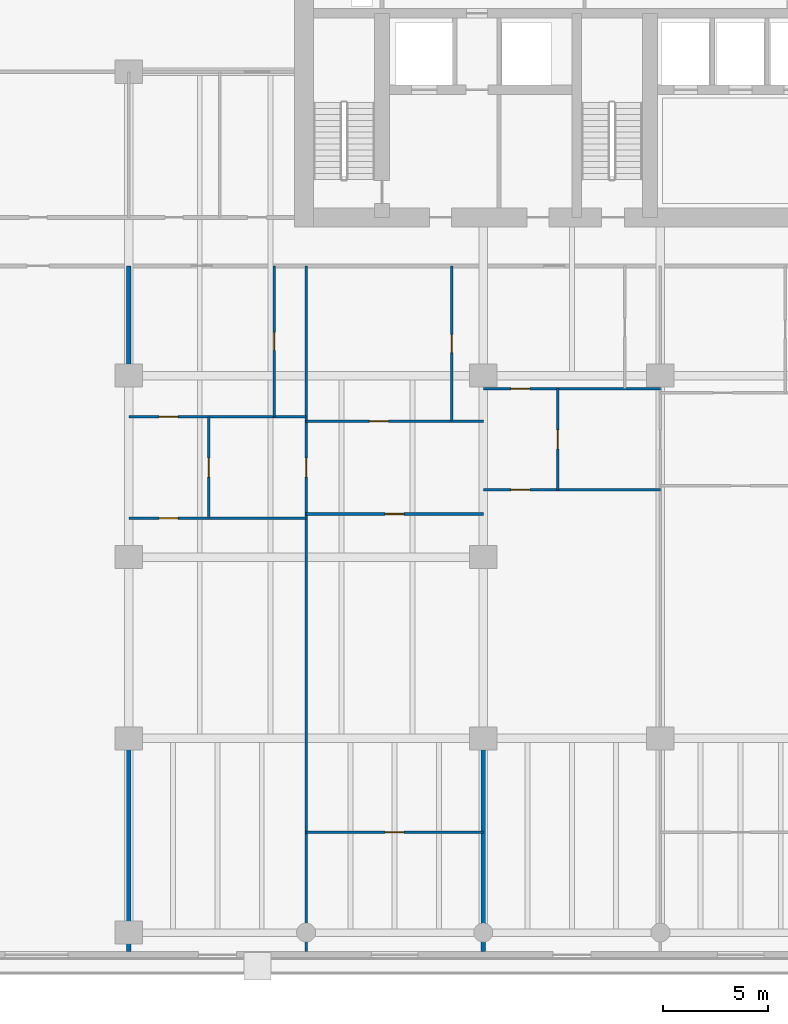
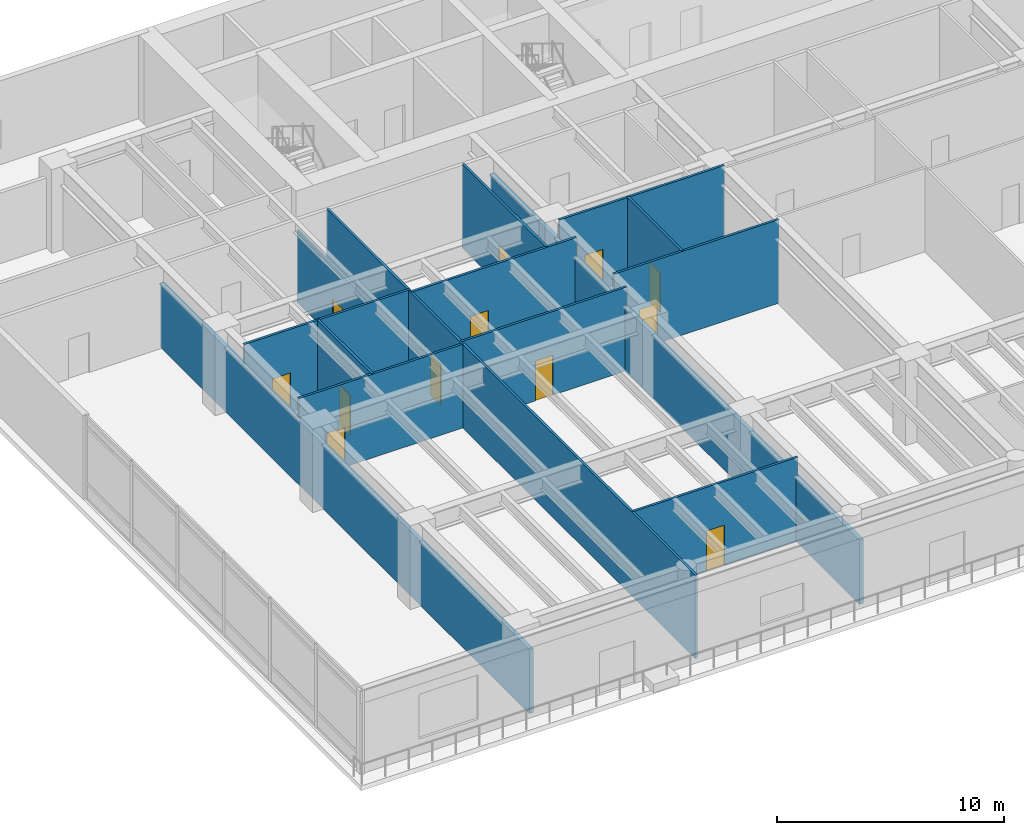
# One storey, part 6 of 14: 14 walls, 12 doors, 12 openings.
"""IFC4 building model written with IfcOpenShell, lengths in metres."""

from ifc_helpers import new_model, si_unit, direction, frame, frame_2d, origin, place, context, subcontext, project, spatial, rectangle, extrude, material, layer, layer_set, type_object, element, fill, save


model = new_model("IFC4")

# Units and contexts
model_context = context("Model", 3, precision=1e-05, world=origin(), true_north=direction((0.0, 1.0)))
body_context = subcontext(model_context, "Body", "Model", "MODEL_VIEW")
ifc_project = project(units=[si_unit("LENGTHUNIT", "METRE"), si_unit("AREAUNIT", "SQUARE_METRE"), si_unit("VOLUMEUNIT", "CUBIC_METRE"), si_unit("PLANEANGLEUNIT", "RADIAN"), si_unit("MASSUNIT", "GRAM", prefix="KILO")], contexts=[model_context])

# Site, building, storey
site_placement = place(None, origin())
site = spatial("IfcSite", under=ifc_project, at=site_placement, CompositionType="ELEMENT")
building_placement = place(site_placement, origin())
building = spatial("IfcBuilding", under=site, at=building_placement, Name="Caelmar Bay Residences", CompositionType="ELEMENT")
storey_placement = place(building_placement, frame((0.0, 0.0, 15.0)))
storey = spatial("IfcBuildingStorey", under=building, at=storey_placement, Name="L03", CompositionType="ELEMENT", Elevation=15.0)

# Wall, opening, door
ifc_material_1 = material(Name="Acoustic metal-stud gypsum partition 120 mm")
ifc_layer_1 = layer(ifc_material_1, 0.1201171875)
ifc_layer_set_1 = layer_set([ifc_layer_1], Name="Acoustic metal-stud gypsum partition 120 mm")
wall_type_1 = type_object("IfcWallType", Name="W-PRT-120", PredefinedType="PARTITIONING", material=ifc_layer_set_1)
wall_1_placement = place(storey_placement, frame((13.679931640625, 22.639892578125, 0.0), z_axis=(0.0, 0.0, 1.0), x_axis=(0.0, 1.0, 0.0)))
wall_1 = element("IfcWall", 1, at=wall_1_placement, inside=storey, type_object=wall_type_1, Name="L03 Partition Wall V003", PredefinedType="PARTITIONING", context=body_context, shape_type="SweptSolid", body=[
    extrude(rectangle(XDim=4.800048828125, YDim=0.1201171875, at=frame_2d((2.39990234375, 0.0))), origin(), (0.0, 0.0, 1.0), 4.5),
])
opening_1_placement = place(wall_1_placement, frame((1.949951171875, 0.0, 0.0)))
opening_1 = element("IfcOpeningElement", 2, at=opening_1_placement, cuts=wall_1, Name="Opening D-L03-125", PredefinedType="OPENING", context=body_context, shape_type="SweptSolid", body=[
    extrude(rectangle(XDim=0.89990234375, YDim=2.14990234375, at=frame_2d((0.449951171875, 1.074951171875))), frame((0.0, 0.070068359375, 0.0), z_axis=(0.0, -1.0, 0.0), x_axis=(1.0, 0.0, 0.0)), (0.0, 0.0, 1.0), 0.14013671875),
])
ifc_material_2 = material(Name="Solid walnut timber interior door leaf and frame", Category="wood")
ifc_layer_2 = layer(ifc_material_2, 0.050048828125)
ifc_layer_set_2 = layer_set([ifc_layer_2], Name="Solid walnut timber interior door leaf and frame")
door_type_1 = type_object("IfcDoorType", Name="D-ROOM-900", OperationType="NOTDEFINED", PredefinedType="DOOR", material=ifc_layer_set_2)
door_1_placement = place(opening_1_placement, origin())
door_1 = element("IfcDoor", 3, at=door_1_placement, inside=storey, type_object=door_type_1, Name="L03 Residence 3A Kitchen Door", OperationType="SINGLE_SWING_RIGHT", OverallHeight=2.14990234375, OverallWidth=0.89990234375, PredefinedType="DOOR", context=body_context, shape_type="SweptSolid", body=[
    extrude(rectangle(XDim=0.89990234375, YDim=2.14990234375, at=frame_2d((0.449951171875, 1.074951171875))), frame((0.0, 0.02490234375, 0.0), z_axis=(0.0, -1.0, 0.0), x_axis=(1.0, 0.0, 0.0)), (0.0, 0.0, 1.0), 0.050048828125),
])
fill(opening_1, door_1)

wall_2_placement = place(storey_placement, frame((16.800048828125, 27.43994140625, 0.0), z_axis=(0.0, 0.0, 1.0), x_axis=(0.0, 1.0, 0.0)))
wall_2 = element("IfcWall", 4, at=wall_2_placement, inside=storey, type_object=wall_type_1, Name="L03 Partition Wall V005", PredefinedType="PARTITIONING", context=body_context, shape_type="SweptSolid", body=[
    extrude(rectangle(XDim=7.16015625, YDim=0.1201171875, at=frame_2d((3.580078125, 0.0))), origin(), (0.0, 0.0, 1.0), 3.873046875),
])
opening_2_placement = place(wall_2_placement, frame((3.155029296875, 0.0, 0.0)))
opening_2 = element("IfcOpeningElement", 5, at=opening_2_placement, cuts=wall_2, Name="Opening D-L03-123", PredefinedType="OPENING", context=body_context, shape_type="SweptSolid", body=[
    extrude(rectangle(XDim=0.85009765625, YDim=2.10009765625, at=frame_2d((0.425048828125, 1.050048828125))), frame((0.0, 0.070068359375, 0.0), z_axis=(0.0, -1.0, 0.0), x_axis=(1.0, 0.0, 0.0)), (0.0, 0.0, 1.0), 0.14013671875),
])
ifc_layer_3 = layer(ifc_material_2, 0.050048828125)
ifc_layer_set_3 = layer_set([ifc_layer_3], Name="Solid walnut timber interior door leaf and frame")
door_type_2 = type_object("IfcDoorType", Name="D-BATH-850", OperationType="NOTDEFINED", PredefinedType="DOOR", material=ifc_layer_set_3)
door_2_placement = place(opening_2_placement, origin())
door_2 = element("IfcDoor", 6, at=door_2_placement, inside=storey, type_object=door_type_2, Name="L03 Residence 3A Guest Bathroom Door", OperationType="SINGLE_SWING_RIGHT", OverallHeight=2.10009765625, OverallWidth=0.85009765625, PredefinedType="DOOR", context=body_context, shape_type="SweptSolid", body=[
    extrude(rectangle(XDim=0.85009765625, YDim=2.10009765625, at=frame_2d((0.425048828125, 1.050048828125))), frame((0.0, 0.02490234375, 0.0), z_axis=(0.0, -1.0, 0.0), x_axis=(1.0, 0.0, 0.0)), (0.0, 0.0, 1.0), 0.050048828125),
])
fill(opening_2, door_2)

wall_3_placement = place(storey_placement, frame((18.300048828125, 2.094970703125, 0.0), z_axis=(0.0, 0.0, 1.0), x_axis=(0.0, 1.0, 0.0)))
wall_3 = element("IfcWall", 7, at=wall_3_placement, inside=storey, type_object=wall_type_1, Name="L03 Partition Wall V006", PredefinedType="PARTITIONING", context=body_context, shape_type="SweptSolid", body=[
    extrude(rectangle(XDim=32.505126953125, YDim=0.1201171875, at=frame_2d((16.25244140625, 0.0))), origin(), (0.0, 0.0, 1.0), 4.5),
])
opening_3_placement = place(wall_3_placement, frame((22.4951171875, 0.0, 0.0)))
opening_3 = element("IfcOpeningElement", 8, at=opening_3_placement, cuts=wall_3, Name="Opening D-L03-127", PredefinedType="OPENING", context=body_context, shape_type="SweptSolid", body=[
    extrude(rectangle(XDim=0.89990234375, YDim=2.14990234375, at=frame_2d((0.449951171875, 1.074951171875))), frame((0.0, 0.070068359375, 0.0), z_axis=(0.0, -1.0, 0.0), x_axis=(1.0, 0.0, 0.0)), (0.0, 0.0, 1.0), 0.14013671875),
])
door_3_placement = place(opening_3_placement, origin())
door_3 = element("IfcDoor", 9, at=door_3_placement, inside=storey, type_object=door_type_1, Name="L03 Residence 3A Conference Study 1 Door", OperationType="SINGLE_SWING_RIGHT", OverallHeight=2.14990234375, OverallWidth=0.89990234375, PredefinedType="DOOR", context=body_context, shape_type="SweptSolid", body=[
    extrude(rectangle(XDim=0.89990234375, YDim=2.14990234375, at=frame_2d((0.449951171875, 1.074951171875))), frame((0.0, 0.02490234375, 0.0), z_axis=(0.0, -1.0, 0.0), x_axis=(1.0, 0.0, 0.0)), (0.0, 0.0, 1.0), 0.050048828125),
])
fill(opening_3, door_3)

wall_4_placement = place(storey_placement, frame((25.199951171875, 27.239990234375, 0.0), z_axis=(0.0, 0.0, 1.0), x_axis=(0.0, 1.0, 0.0)))
wall_4 = element("IfcWall", 10, at=wall_4_placement, inside=storey, type_object=wall_type_1, Name="L03 Partition Wall V008", PredefinedType="PARTITIONING", context=body_context, shape_type="SweptSolid", body=[
    extrude(rectangle(XDim=7.360107421875, YDim=0.1201171875, at=frame_2d((3.68017578125, 0.0))), origin(), (0.0, 0.0, 1.0), 4.5),
])
opening_4_placement = place(wall_4_placement, frame((3.2548828125, 0.0, 0.0)))
opening_4 = element("IfcOpeningElement", 11, at=opening_4_placement, cuts=wall_4, Name="Opening D-L03-129", PredefinedType="OPENING", context=body_context, shape_type="SweptSolid", body=[
    extrude(rectangle(XDim=0.85009765625, YDim=2.10009765625, at=frame_2d((0.425048828125, 1.050048828125))), frame((0.0, 0.070068359375, 0.0), z_axis=(0.0, -1.0, 0.0), x_axis=(1.0, 0.0, 0.0)), (0.0, 0.0, 1.0), 0.14013671875),
])
door_4_placement = place(opening_4_placement, origin())
door_4 = element("IfcDoor", 12, at=door_4_placement, inside=storey, type_object=door_type_2, Name="L03 Residence 3A En-Suite Bathroom 1 Door", OperationType="SINGLE_SWING_RIGHT", OverallHeight=2.10009765625, OverallWidth=0.85009765625, PredefinedType="DOOR", context=body_context, shape_type="SweptSolid", body=[
    extrude(rectangle(XDim=0.85009765625, YDim=2.10009765625, at=frame_2d((0.425048828125, 1.050048828125))), frame((0.0, 0.02490234375, 0.0), z_axis=(0.0, -1.0, 0.0), x_axis=(1.0, 0.0, 0.0)), (0.0, 0.0, 1.0), 0.050048828125),
])
fill(opening_4, door_4)

wall_5_placement = place(storey_placement, frame((30.22802734375, 23.97998046875, 0.0), z_axis=(0.0, 0.0, 1.0), x_axis=(0.0, 1.0, 0.0)))
wall_5 = element("IfcWall", 13, at=wall_5_placement, inside=storey, type_object=wall_type_1, Name="L03 Partition Wall V013", PredefinedType="PARTITIONING", context=body_context, shape_type="SweptSolid", body=[
    extrude(rectangle(XDim=4.800048828125, YDim=0.1201171875, at=frame_2d((2.39990234375, 0.0))), origin(), (0.0, 0.0, 1.0), 4.5),
])
opening_5_placement = place(wall_5_placement, frame((1.949951171875, 0.0, 0.0)))
opening_5 = element("IfcOpeningElement", 14, at=opening_5_placement, cuts=wall_5, Name="Opening D-L03-135", PredefinedType="OPENING", context=body_context, shape_type="SweptSolid", body=[
    extrude(rectangle(XDim=0.89990234375, YDim=2.14990234375, at=frame_2d((0.449951171875, 1.074951171875))), frame((0.0, 0.070068359375, 0.0), z_axis=(0.0, -1.0, 0.0), x_axis=(1.0, 0.0, 0.0)), (0.0, 0.0, 1.0), 0.14013671875),
])
door_5_placement = place(opening_5_placement, origin())
door_5 = element("IfcDoor", 15, at=door_5_placement, inside=storey, type_object=door_type_1, Name="L03 Residence 3B Kitchen Door", OperationType="SINGLE_SWING_RIGHT", OverallHeight=2.14990234375, OverallWidth=0.89990234375, PredefinedType="DOOR", context=body_context, shape_type="SweptSolid", body=[
    extrude(rectangle(XDim=0.89990234375, YDim=2.14990234375, at=frame_2d((0.449951171875, 1.074951171875))), frame((0.0, 0.02490234375, 0.0), z_axis=(0.0, -1.0, 0.0), x_axis=(1.0, 0.0, 0.0)), (0.0, 0.0, 1.0), 0.050048828125),
])
fill(opening_5, door_5)

wall_6_placement = place(storey_placement, frame((18.300048828125, 7.75, 0.0), z_axis=(0.0, 0.0, 1.0), x_axis=(1.0, 0.0, 0.0)))
wall_6 = element("IfcWall", 16, at=wall_6_placement, inside=storey, type_object=wall_type_1, Name="L03 Partition Wall H033", PredefinedType="PARTITIONING", context=body_context, shape_type="SweptSolid", body=[
    extrude(rectangle(XDim=8.39990234375, YDim=0.1201171875, at=frame_2d((4.199951171875, 0.0))), origin(), (0.0, 0.0, 1.0), 4.5),
])
opening_6_placement = place(wall_6_placement, frame((3.75, 0.0, 0.0)))
opening_6 = element("IfcOpeningElement", 17, at=opening_6_placement, cuts=wall_6, Name="Opening D-L03-131", PredefinedType="OPENING", context=body_context, shape_type="SweptSolid", body=[
    extrude(rectangle(XDim=0.89990234375, YDim=2.14990234375, at=frame_2d((0.449951171875, 1.074951171875))), frame((0.0, 0.070068359375, 0.0), z_axis=(0.0, -1.0, 0.0), x_axis=(1.0, 0.0, 0.0)), (0.0, 0.0, 1.0), 0.14013671875),
])
door_6_placement = place(opening_6_placement, origin())
door_6 = element("IfcDoor", 18, at=door_6_placement, inside=storey, type_object=door_type_1, Name="L03 Residence 3A Primary Bedroom 1 Door", OperationType="SINGLE_SWING_RIGHT", OverallHeight=2.14990234375, OverallWidth=0.89990234375, PredefinedType="DOOR", context=body_context, shape_type="SweptSolid", body=[
    extrude(rectangle(XDim=0.89990234375, YDim=2.14990234375, at=frame_2d((0.449951171875, 1.074951171875))), frame((0.0, 0.02490234375, 0.0), z_axis=(0.0, -1.0, 0.0), x_axis=(1.0, 0.0, 0.0)), (0.0, 0.0, 1.0), 0.050048828125),
])
fill(opening_6, door_6)

wall_7_placement = place(storey_placement, frame((9.89990234375, 22.639892578125, 0.0), z_axis=(0.0, 0.0, 1.0), x_axis=(1.0, 0.0, 0.0)))
wall_7 = element("IfcWall", 19, at=wall_7_placement, inside=storey, type_object=wall_type_1, Name="L03 Partition Wall H035", PredefinedType="PARTITIONING", context=body_context, shape_type="SweptSolid", body=[
    extrude(rectangle(XDim=8.400146484375, YDim=0.1201171875, at=frame_2d((4.2001953125, 0.0))), origin(), (0.0, 0.0, 1.0), 4.5),
])
opening_7_placement = place(wall_7_placement, frame((1.43994140625, 0.0, 0.0)))
opening_7 = element("IfcOpeningElement", 20, at=opening_7_placement, cuts=wall_7, Name="Opening D-L03-126", PredefinedType="OPENING", context=body_context, shape_type="SweptSolid", body=[
    extrude(rectangle(XDim=0.89990234375, YDim=2.14990234375, at=frame_2d((0.449951171875, 1.074951171875))), frame((0.0, 0.070068359375, 0.0), z_axis=(0.0, -1.0, 0.0), x_axis=(1.0, 0.0, 0.0)), (0.0, 0.0, 1.0), 0.14013671875),
])
door_7_placement = place(opening_7_placement, origin())
door_7 = element("IfcDoor", 21, at=door_7_placement, inside=storey, type_object=door_type_1, Name="L03 Residence 3A Penthouse Living Salon Door", OperationType="SINGLE_SWING_LEFT", OverallHeight=2.14990234375, OverallWidth=0.89990234375, PredefinedType="DOOR", context=body_context, shape_type="SweptSolid", body=[
    extrude(rectangle(XDim=0.89990234375, YDim=2.14990234375, at=frame_2d((0.449951171875, 1.074951171875))), frame((0.0, 0.02490234375, 0.0), z_axis=(0.0, -1.0, 0.0), x_axis=(1.0, 0.0, 0.0)), (0.0, 0.0, 1.0), 0.050048828125),
])
fill(opening_7, door_7)

wall_8_placement = place(storey_placement, frame((18.304931640625, 22.840087890625, 0.0), z_axis=(0.0, 0.0, 1.0), x_axis=(1.0, 0.0, 0.0)))
wall_8 = element("IfcWall", 22, at=wall_8_placement, inside=storey, type_object=wall_type_1, Name="L03 Partition Wall H036", PredefinedType="PARTITIONING", context=body_context, shape_type="SweptSolid", body=[
    extrude(rectangle(XDim=8.39501953125, YDim=0.1201171875, at=frame_2d((4.197509765625, 0.0))), origin(), (0.0, 0.0, 1.0), 4.5),
])
opening_8_placement = place(wall_8_placement, frame((3.74755859375, 0.0, 0.0)))
opening_8 = element("IfcOpeningElement", 23, at=opening_8_placement, cuts=wall_8, Name="Opening D-L03-130", PredefinedType="OPENING", context=body_context, shape_type="SweptSolid", body=[
    extrude(rectangle(XDim=0.89990234375, YDim=2.14990234375, at=frame_2d((0.449951171875, 1.074951171875))), frame((0.0, 0.070068359375, 0.0), z_axis=(0.0, -1.0, 0.0), x_axis=(1.0, 0.0, 0.0)), (0.0, 0.0, 1.0), 0.14013671875),
])
door_8_placement = place(opening_8_placement, origin())
door_8 = element("IfcDoor", 24, at=door_8_placement, inside=storey, type_object=door_type_1, Name="L03 Residence 3A Penthouse Sitting Salon 1 Door", OperationType="SINGLE_SWING_LEFT", OverallHeight=2.14990234375, OverallWidth=0.89990234375, PredefinedType="DOOR", context=body_context, shape_type="SweptSolid", body=[
    extrude(rectangle(XDim=0.89990234375, YDim=2.14990234375, at=frame_2d((0.449951171875, 1.074951171875))), frame((0.0, 0.02490234375, 0.0), z_axis=(0.0, -1.0, 0.0), x_axis=(1.0, 0.0, 0.0)), (0.0, 0.0, 1.0), 0.050048828125),
])
fill(opening_8, door_8)

wall_9_placement = place(storey_placement, frame((26.699951171875, 23.97998046875, 0.0), z_axis=(0.0, 0.0, 1.0), x_axis=(1.0, 0.0, 0.0)))
wall_9 = element("IfcWall", 25, at=wall_9_placement, inside=storey, type_object=wall_type_1, Name="L03 Partition Wall H037", PredefinedType="PARTITIONING", context=body_context, shape_type="SweptSolid", body=[
    extrude(rectangle(XDim=8.400146484375, YDim=0.1201171875, at=frame_2d((4.2001953125, 0.0))), origin(), (0.0, 0.0, 1.0), 4.5),
])
opening_9_placement = place(wall_9_placement, frame((1.31396484375, 0.0, 0.0)))
opening_9 = element("IfcOpeningElement", 26, at=opening_9_placement, cuts=wall_9, Name="Opening D-L03-136", PredefinedType="OPENING", context=body_context, shape_type="SweptSolid", body=[
    extrude(rectangle(XDim=0.89990234375, YDim=2.14990234375, at=frame_2d((0.449951171875, 1.074951171875))), frame((0.0, 0.070068359375, 0.0), z_axis=(0.0, -1.0, 0.0), x_axis=(1.0, 0.0, 0.0)), (0.0, 0.0, 1.0), 0.14013671875),
])
door_9_placement = place(opening_9_placement, origin())
door_9 = element("IfcDoor", 27, at=door_9_placement, inside=storey, type_object=door_type_1, Name="L03 Residence 3B Penthouse Living Salon Door", OperationType="SINGLE_SWING_LEFT", OverallHeight=2.14990234375, OverallWidth=0.89990234375, PredefinedType="DOOR", context=body_context, shape_type="SweptSolid", body=[
    extrude(rectangle(XDim=0.89990234375, YDim=2.14990234375, at=frame_2d((0.449951171875, 1.074951171875))), frame((0.0, 0.02490234375, 0.0), z_axis=(0.0, -1.0, 0.0), x_axis=(1.0, 0.0, 0.0)), (0.0, 0.0, 1.0), 0.050048828125),
])
fill(opening_9, door_9)

wall_10_placement = place(storey_placement, frame((18.300048828125, 27.239990234375, 0.0), z_axis=(0.0, 0.0, 1.0), x_axis=(1.0, 0.0, 0.0)))
wall_10 = element("IfcWall", 28, at=wall_10_placement, inside=storey, type_object=wall_type_1, Name="L03 Partition Wall H040", PredefinedType="PARTITIONING", context=body_context, shape_type="SweptSolid", body=[
    extrude(rectangle(XDim=8.39990234375, YDim=0.1201171875, at=frame_2d((4.199951171875, 0.0))), origin(), (0.0, 0.0, 1.0), 4.5),
])
opening_10_placement = place(wall_10_placement, frame((3.0, 0.0, 0.0)))
opening_10 = element("IfcOpeningElement", 29, at=opening_10_placement, cuts=wall_10, Name="Opening D-L03-128", PredefinedType="OPENING", context=body_context, shape_type="SweptSolid", body=[
    extrude(rectangle(XDim=0.89990234375, YDim=2.14990234375, at=frame_2d((0.449951171875, 1.074951171875))), frame((0.0, 0.070068359375, 0.0), z_axis=(0.0, -1.0, 0.0), x_axis=(1.0, 0.0, 0.0)), (0.0, 0.0, 1.0), 0.14013671875),
])
door_10_placement = place(opening_10_placement, origin())
door_10 = element("IfcDoor", 30, at=door_10_placement, inside=storey, type_object=door_type_1, Name="L03 Residence 3A Private Meeting Room 1 Door", OperationType="SINGLE_SWING_LEFT", OverallHeight=2.14990234375, OverallWidth=0.89990234375, PredefinedType="DOOR", context=body_context, shape_type="SweptSolid", body=[
    extrude(rectangle(XDim=0.89990234375, YDim=2.14990234375, at=frame_2d((0.449951171875, 1.074951171875))), frame((0.0, 0.02490234375, 0.0), z_axis=(0.0, -1.0, 0.0), x_axis=(1.0, 0.0, 0.0)), (0.0, 0.0, 1.0), 0.050048828125),
])
fill(opening_10, door_10)

wall_11_placement = place(storey_placement, frame((9.89990234375, 27.43994140625, 0.0), z_axis=(0.0, 0.0, 1.0), x_axis=(1.0, 0.0, 0.0)))
wall_11 = element("IfcWall", 31, at=wall_11_placement, inside=storey, type_object=wall_type_1, Name="L03 Partition Wall H041", PredefinedType="PARTITIONING", context=body_context, shape_type="SweptSolid", body=[
    extrude(rectangle(XDim=8.400146484375, YDim=0.1201171875, at=frame_2d((4.2001953125, 0.0))), origin(), (0.0, 0.0, 1.0), 4.5),
])
opening_11_placement = place(wall_11_placement, frame((1.43994140625, 0.0, 0.0)))
opening_11 = element("IfcOpeningElement", 32, at=opening_11_placement, cuts=wall_11, Name="Opening D-L03-124", PredefinedType="OPENING", context=body_context, shape_type="SweptSolid", body=[
    extrude(rectangle(XDim=0.89990234375, YDim=2.14990234375, at=frame_2d((0.449951171875, 1.074951171875))), frame((0.0, 0.070068359375, 0.0), z_axis=(0.0, -1.0, 0.0), x_axis=(1.0, 0.0, 0.0)), (0.0, 0.0, 1.0), 0.14013671875),
])
door_11_placement = place(opening_11_placement, origin())
door_11 = element("IfcDoor", 33, at=door_11_placement, inside=storey, type_object=door_type_1, Name="L03 Residence 3A Dining Room Door", OperationType="SINGLE_SWING_LEFT", OverallHeight=2.14990234375, OverallWidth=0.89990234375, PredefinedType="DOOR", context=body_context, shape_type="SweptSolid", body=[
    extrude(rectangle(XDim=0.89990234375, YDim=2.14990234375, at=frame_2d((0.449951171875, 1.074951171875))), frame((0.0, 0.02490234375, 0.0), z_axis=(0.0, -1.0, 0.0), x_axis=(1.0, 0.0, 0.0)), (0.0, 0.0, 1.0), 0.050048828125),
])
fill(opening_11, door_11)

wall_12_placement = place(storey_placement, frame((26.699951171875, 28.780029296875, 0.0), z_axis=(0.0, 0.0, 1.0), x_axis=(1.0, 0.0, 0.0)))
wall_12 = element("IfcWall", 34, at=wall_12_placement, inside=storey, type_object=wall_type_1, Name="L03 Partition Wall H043", PredefinedType="PARTITIONING", context=body_context, shape_type="SweptSolid", body=[
    extrude(rectangle(XDim=8.400146484375, YDim=0.1201171875, at=frame_2d((4.2001953125, 0.0))), origin(), (0.0, 0.0, 1.0), 4.5),
])
opening_12_placement = place(wall_12_placement, frame((1.31396484375, 0.0, 0.0)))
opening_12 = element("IfcOpeningElement", 35, at=opening_12_placement, cuts=wall_12, Name="Opening D-L03-134", PredefinedType="OPENING", context=body_context, shape_type="SweptSolid", body=[
    extrude(rectangle(XDim=0.89990234375, YDim=2.14990234375, at=frame_2d((0.449951171875, 1.074951171875))), frame((0.0, 0.070068359375, 0.0), z_axis=(0.0, -1.0, 0.0), x_axis=(1.0, 0.0, 0.0)), (0.0, 0.0, 1.0), 0.14013671875),
])
door_12_placement = place(opening_12_placement, origin())
door_12 = element("IfcDoor", 36, at=door_12_placement, inside=storey, type_object=door_type_1, Name="L03 Residence 3B Dining Room Door", OperationType="SINGLE_SWING_LEFT", OverallHeight=2.14990234375, OverallWidth=0.89990234375, PredefinedType="DOOR", context=body_context, shape_type="SweptSolid", body=[
    extrude(rectangle(XDim=0.89990234375, YDim=2.14990234375, at=frame_2d((0.449951171875, 1.074951171875))), frame((0.0, 0.02490234375, 0.0), z_axis=(0.0, -1.0, 0.0), x_axis=(1.0, 0.0, 0.0)), (0.0, 0.0, 1.0), 0.050048828125),
])
fill(opening_12, door_12)

# Walls
ifc_material_3 = material(Name="Acoustic twin-stud fire-rated inter-tenancy partition 200 mm")
ifc_layer_4 = layer(ifc_material_3, 0.199951171875)
ifc_layer_set_4 = layer_set([ifc_layer_4], Name="Acoustic twin-stud fire-rated inter-tenancy partition 200 mm")
wall_type_2 = type_object("IfcWallType", Name="W-PTY-200", PredefinedType="PARTITIONING", material=ifc_layer_set_4)
for number, where, z_axis, x_axis, name in (
    (37, (9.89990234375, 2.094970703125, 0.0), (0.0, 0.0, 1.0), (0.0, 1.0, 0.0), "L03 Partition Wall V001"),
    (38, (26.699951171875, 2.094970703125, 0.0), (0.0, 0.0, 1.0), (0.0, 1.0, 0.0), "L03 Partition Wall V010"),
):
    element("IfcWall", number, at=place(storey_placement, frame(where, z_axis=z_axis, x_axis=x_axis)), inside=storey, type_object=wall_type_2, Name=name, PredefinedType="PARTITIONING", context=body_context, shape_type="SweptSolid", body=[
        extrude(rectangle(XDim=32.505126953125, YDim=0.199951171875, at=frame_2d((16.25244140625, 0.0))), origin(), (0.0, 0.0, 1.0), 3.464111328125),
    ])

save(model, "model.ifc")
